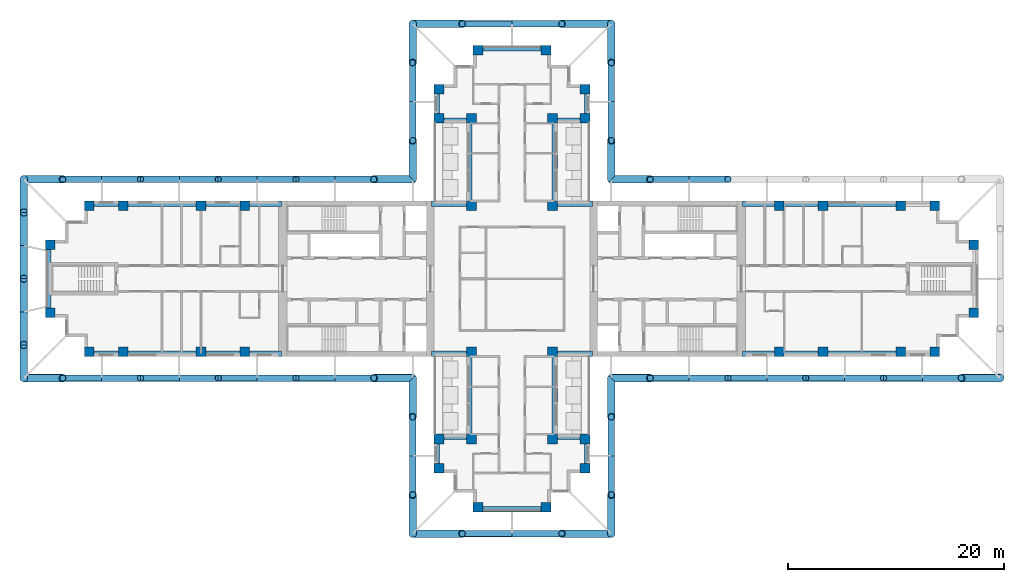
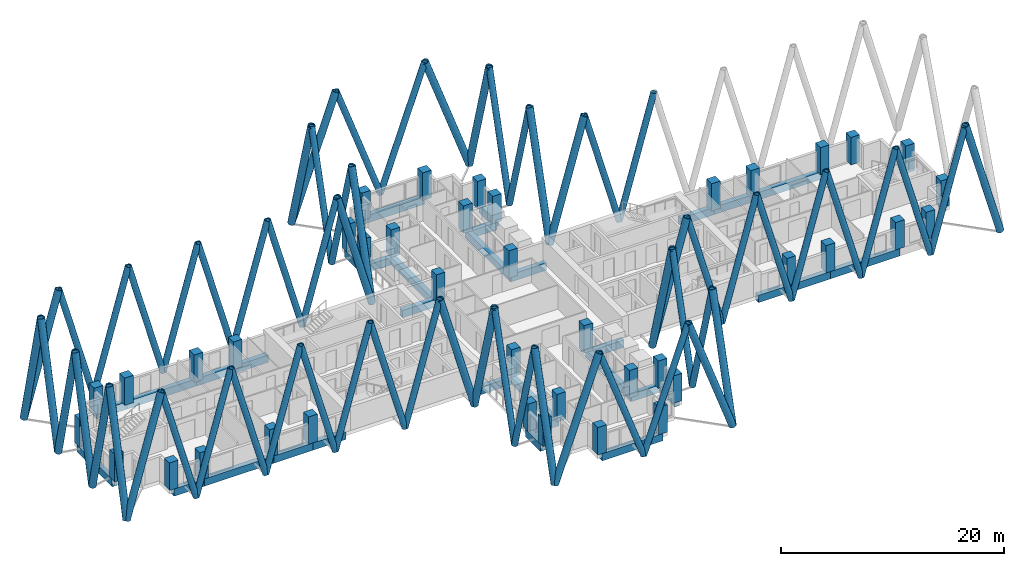
# One storey, part 1 of 13: 63 members, 40 columns, 33 beams.
"""IFC4 building model written with IfcOpenShell, lengths in metres."""

from ifc_helpers import new_model, si_unit, direction, frame, origin, origin_2d, place, context, subcontext, project, spatial, rectangle, hollow_circle, extrude, material, material_profile, profile_set, type_object, element, save


model = new_model("IFC4")

# Units and contexts
model_context = context("Model", 3, precision=1e-05, world=origin(), true_north=direction((0.0, 1.0)))
body_context = subcontext(model_context, "Body", "Model", "MODEL_VIEW")
ifc_project = project(units=[si_unit("LENGTHUNIT", "METRE"), si_unit("AREAUNIT", "SQUARE_METRE"), si_unit("VOLUMEUNIT", "CUBIC_METRE"), si_unit("PLANEANGLEUNIT", "RADIAN"), si_unit("MASSUNIT", "GRAM", prefix="KILO")], contexts=[model_context])

# Site, building, storey
site_placement = place(None, origin())
site = spatial("IfcSite", under=ifc_project, at=site_placement, CompositionType="ELEMENT")
building_placement = place(site_placement, origin())
building = spatial("IfcBuilding", under=site, at=building_placement, Name="Fustian Cross Tower", CompositionType="ELEMENT")
storey_placement = place(building_placement, frame((0.0, 0.0, 153.300048828125)))
storey = spatial("IfcBuildingStorey", under=building, at=storey_placement, Name="L48", CompositionType="ELEMENT", Elevation=153.300048828125)

# Columns
ifc_material_1 = material(Name="Concrete C50/60", Category="concrete")
ifc_material_profile_1 = material_profile(ifc_material_1, rectangle(XDim=0.89990234375, YDim=0.89990234375, at=origin_2d()), Name="RC 900x900")
ifc_profile_set_1 = profile_set([ifc_material_profile_1], Name="Concrete C50/60")
column_type = type_object("IfcColumnType", Name="COLUMN RC 900x900 C50/60", PredefinedType="COLUMN", material=ifc_profile_set_1)
for number, where, z_axis, x_axis, name in (
    (1, (-42.75, -3.14990234375, 0.0), (0.0, 0.0, 1.0), (1.0, 0.0, 0.0), "COLUMN 001"),
    (2, (-42.75, 3.14990234375, 0.0), (0.0, 0.0, 1.0), (1.0, 0.0, 0.0), "COLUMN 002"),
    (3, (-39.14990234375, -6.75, 0.0), (0.0, 0.0, 1.0), (1.0, 0.0, 0.0), "COLUMN 003"),
    (4, (-39.14990234375, 6.75, 0.0), (0.0, 0.0, 1.0), (1.0, 0.0, 0.0), "COLUMN 004"),
    (5, (-36.0, -6.75, 0.0), (0.0, 0.0, 1.0), (1.0, 0.0, 0.0), "COLUMN 005"),
    (6, (-36.0, 6.75, 0.0), (0.0, 0.0, 1.0), (1.0, 0.0, 0.0), "COLUMN 006"),
    (7, (-28.800048828125, -6.75, 0.0), (0.0, 0.0, 1.0), (1.0, 0.0, 0.0), "COLUMN 007"),
    (8, (-28.800048828125, 6.75, 0.0), (0.0, 0.0, 1.0), (1.0, 0.0, 0.0), "COLUMN 010"),
    (9, (-24.75, -6.75, 0.0), (0.0, 0.0, 1.0), (1.0, 0.0, 0.0), "COLUMN 011"),
    (10, (-24.75, 6.75, 0.0), (0.0, 0.0, 1.0), (1.0, 0.0, 0.0), "COLUMN 012"),
    (11, (-6.75, -17.550048828125, 0.0), (0.0, 0.0, 1.0), (1.0, 0.0, 0.0), "COLUMN 017"),
    (12, (-6.75, -14.85009765625, 0.0), (0.0, 0.0, 1.0), (1.0, 0.0, 0.0), "COLUMN 018"),
    (13, (-6.75, 14.85009765625, 0.0), (0.0, 0.0, 1.0), (1.0, 0.0, 0.0), "COLUMN 019"),
    (14, (-6.75, 17.550048828125, 0.0), (0.0, 0.0, 1.0), (1.0, 0.0, 0.0), "COLUMN 020"),
    (15, (-3.75, -14.85009765625, 0.0), (0.0, 0.0, 1.0), (1.0, 0.0, 0.0), "COLUMN 025"),
    (16, (-3.75, -6.75, 0.0), (0.0, 0.0, 1.0), (1.0, 0.0, 0.0), "COLUMN 026"),
    (17, (-3.75, 6.75, 0.0), (0.0, 0.0, 1.0), (1.0, 0.0, 0.0), "COLUMN 027"),
    (18, (-3.75, 14.85009765625, 0.0), (0.0, 0.0, 1.0), (1.0, 0.0, 0.0), "COLUMN 028"),
    (19, (-3.14990234375, -21.14990234375, 0.0), (0.0, 0.0, 1.0), (1.0, 0.0, 0.0), "COLUMN 030"),
    (20, (-3.14990234375, 21.14990234375, 0.0), (0.0, 0.0, 1.0), (1.0, 0.0, 0.0), "COLUMN 031"),
    (21, (3.14990234375, -21.14990234375, 0.0), (0.0, 0.0, 1.0), (1.0, 0.0, 0.0), "COLUMN 034"),
    (22, (3.14990234375, 21.14990234375, 0.0), (0.0, 0.0, 1.0), (1.0, 0.0, 0.0), "COLUMN 035"),
    (23, (3.75, -14.85009765625, 0.0), (0.0, 0.0, 1.0), (1.0, 0.0, 0.0), "COLUMN 037"),
    (24, (3.75, -6.75, 0.0), (0.0, 0.0, 1.0), (1.0, 0.0, 0.0), "COLUMN 038"),
    (25, (3.75, 6.75, 0.0), (0.0, 0.0, 1.0), (1.0, 0.0, 0.0), "COLUMN 039"),
    (26, (3.75, 14.85009765625, 0.0), (0.0, 0.0, 1.0), (1.0, 0.0, 0.0), "COLUMN 040"),
    (27, (6.75, -17.550048828125, 0.0), (0.0, 0.0, 1.0), (1.0, 0.0, 0.0), "COLUMN 045"),
    (28, (6.75, -14.85009765625, 0.0), (0.0, 0.0, 1.0), (1.0, 0.0, 0.0), "COLUMN 046"),
    (29, (6.75, 14.85009765625, 0.0), (0.0, 0.0, 1.0), (1.0, 0.0, 0.0), "COLUMN 047"),
    (30, (6.75, 17.550048828125, 0.0), (0.0, 0.0, 1.0), (1.0, 0.0, 0.0), "COLUMN 048"),
    (31, (24.75, -6.75, 0.0), (0.0, 0.0, 1.0), (1.0, 0.0, 0.0), "COLUMN 053"),
    (32, (24.75, 6.75, 0.0), (0.0, 0.0, 1.0), (1.0, 0.0, 0.0), "COLUMN 054"),
    (33, (28.800048828125, -6.75, 0.0), (0.0, 0.0, 1.0), (1.0, 0.0, 0.0), "COLUMN 055"),
    (34, (28.800048828125, 6.75, 0.0), (0.0, 0.0, 1.0), (1.0, 0.0, 0.0), "COLUMN 058"),
    (35, (36.0, -6.75, 0.0), (0.0, 0.0, 1.0), (1.0, 0.0, 0.0), "COLUMN 059"),
    (36, (36.0, 6.75, 0.0), (0.0, 0.0, 1.0), (1.0, 0.0, 0.0), "COLUMN 060"),
    (37, (39.14990234375, -6.75, 0.0), (0.0, 0.0, 1.0), (1.0, 0.0, 0.0), "COLUMN 061"),
    (38, (39.14990234375, 6.75, 0.0), (0.0, 0.0, 1.0), (1.0, 0.0, 0.0), "COLUMN 062"),
    (39, (42.75, -3.14990234375, 0.0), (0.0, 0.0, 1.0), (1.0, 0.0, 0.0), "COLUMN 063"),
    (40, (42.75, 3.14990234375, 0.0), (0.0, 0.0, 1.0), (1.0, 0.0, 0.0), "COLUMN 064"),
):
    element("IfcColumn", number, at=place(storey_placement, frame(where, z_axis=z_axis, x_axis=x_axis)), inside=storey, type_object=column_type, Name=name, PredefinedType="COLUMN", context=body_context, shape_type="SweptSolid", body=[
        extrude(rectangle(XDim=0.89990234375, YDim=0.89990234375, at=origin_2d()), origin(), (0.0, 0.0, 1.0), 3.0),
    ])

# Members
ifc_material_2 = material(Name="Steel S355", Category="steel")
ifc_material_profile_2 = material_profile(ifc_material_2, hollow_circle(Radius=0.3046875, WallThickness=0.02490234375, at=origin_2d()), Name="CHS 610x25")
ifc_profile_set_2 = profile_set([ifc_material_profile_2], Name="Steel S355")
member_type_1 = type_object("IfcMemberType", Name="DIAGRID DIAGONAL CHS 610x25", PredefinedType="BRACE", material=ifc_profile_set_2)
for number, where, z_axis, x_axis, name in (
    (41, (16.39990234375, -9.199951171875, 0.0), (-0.270734410693, 0.0, 0.962654080585), (0.0, -1.0, 0.0), "Diagrid diagonal E-S 02"),
    (42, (16.39990234375, -9.199951171875, 0.0), (0.27075142585, 0.0, 0.962649295123), (0.0, 1.0, 0.0), "Diagrid diagonal E-S 03"),
    (43, (23.60009765625, -9.199951171875, 0.0), (-0.27075142585, 0.0, 0.962649295123), (0.0, -1.0, 0.0), "Diagrid diagonal E-S 04"),
    (44, (23.60009765625, -9.199951171875, 0.0), (0.270734410693, 0.0, 0.962654080585), (0.0, 1.0, 0.0), "Diagrid diagonal E-S 05"),
    (45, (30.800048828125, -9.199951171875, 0.0), (-0.27075142585, 0.0, 0.962649295123), (0.0, -1.0, 0.0), "Diagrid diagonal E-S 06"),
    (46, (30.800048828125, -9.199951171875, 0.0), (0.270734410693, 0.0, 0.962654080585), (0.0, 1.0, 0.0), "Diagrid diagonal E-S 07"),
    (47, (38.0, -9.199951171875, 0.0), (-0.27075142585, 0.0, 0.962649295123), (0.0, -1.0, 0.0), "Diagrid diagonal E-S 08"),
    (48, (38.0, -9.199951171875, 0.0), (0.27075142585, 0.0, 0.962649295123), (0.0, 1.0, 0.0), "Diagrid diagonal E-S 09"),
    (49, (16.39990234375, 9.199951171875, 0.0), (0.27075142585, 0.0, 0.962649295123), (0.0, 1.0, 0.0), "Diagrid diagonal E-N 08"),
    (50, (16.39990234375, 9.199951171875, 0.0), (-0.270734410693, 0.0, 0.962654080585), (0.0, -1.0, 0.0), "Diagrid diagonal E-N 09"),
    (51, (9.199951171875, 16.39990234375, 0.0), (0.0, -0.270734410693, 0.962654080585), (1.0, 0.0, 0.0), "Diagrid diagonal N-E 02"),
    (52, (9.199951171875, 16.39990234375, 0.0), (0.0, 0.27075142585, 0.962649295123), (-1.0, 0.0, 0.0), "Diagrid diagonal N-E 03"),
):
    element("IfcMember", number, at=place(storey_placement, frame(where, z_axis=z_axis, x_axis=x_axis)), inside=storey, type_object=member_type_1, Name=name, PredefinedType="BRACE", context=body_context, shape_type="SweptSolid", body=[
        extrude(hollow_circle(Radius=0.3046875, WallThickness=0.02490234375, at=origin_2d()), origin(), (0.0, 0.0, 1.0), 13.296630859375),
    ])
for number, where, z_axis, x_axis, name in (
    (53, (0.0, 23.60009765625, 0.0), (0.338203942177, 0.0, 0.941072841759), (0.0, 1.0, 0.0), "Diagrid diagonal N-end 02"),
    (54, (0.0, 23.60009765625, 0.0), (-0.338203942177, 0.0, 0.941072841759), (0.0, -1.0, 0.0), "Diagrid diagonal N-end 03"),
):
    element("IfcMember", number, at=place(storey_placement, frame(where, z_axis=z_axis, x_axis=x_axis)), inside=storey, type_object=member_type_1, Name=name, PredefinedType="BRACE", context=body_context, shape_type="SweptSolid", body=[
        extrude(hollow_circle(Radius=0.3046875, WallThickness=0.02490234375, at=origin_2d()), origin(), (0.0, 0.0, 1.0), 13.6015625),
    ])
for number, where, z_axis, x_axis, name in (
    (55, (-9.199951171875, 16.39990234375, 0.0), (0.0, 0.27075142585, 0.962649295123), (-1.0, 0.0, 0.0), "Diagrid diagonal N-W 02"),
    (56, (-9.199951171875, 16.39990234375, 0.0), (0.0, -0.270734410693, 0.962654080585), (1.0, 0.0, 0.0), "Diagrid diagonal N-W 03"),
    (57, (-16.39990234375, 9.199951171875, 0.0), (0.270734410693, 0.0, 0.962654080585), (0.0, 1.0, 0.0), "Diagrid diagonal W-N 02"),
    (58, (-16.39990234375, 9.199951171875, 0.0), (-0.27075142585, 0.0, 0.962649295123), (0.0, -1.0, 0.0), "Diagrid diagonal W-N 03"),
    (59, (-23.60009765625, 9.199951171875, 0.0), (0.27075142585, 0.0, 0.962649295123), (0.0, 1.0, 0.0), "Diagrid diagonal W-N 04"),
    (60, (-23.60009765625, 9.199951171875, 0.0), (-0.270734410693, 0.0, 0.962654080585), (0.0, -1.0, 0.0), "Diagrid diagonal W-N 05"),
    (61, (-30.800048828125, 9.199951171875, 0.0), (0.27075142585, 0.0, 0.962649295123), (0.0, 1.0, 0.0), "Diagrid diagonal W-N 06"),
    (62, (-30.800048828125, 9.199951171875, 0.0), (-0.270734410693, 0.0, 0.962654080585), (0.0, -1.0, 0.0), "Diagrid diagonal W-N 07"),
    (63, (-38.0, 9.199951171875, 0.0), (0.27075142585, 0.0, 0.962649295123), (0.0, 1.0, 0.0), "Diagrid diagonal W-N 08"),
    (64, (-38.0, 9.199951171875, 0.0), (-0.27075142585, 0.0, 0.962649295123), (0.0, -1.0, 0.0), "Diagrid diagonal W-N 09"),
    (65, (-38.0, -9.199951171875, 0.0), (-0.27075142585, 0.0, 0.962649295123), (0.0, -1.0, 0.0), "Diagrid diagonal W-S 02"),
    (66, (-38.0, -9.199951171875, 0.0), (0.27075142585, 0.0, 0.962649295123), (0.0, 1.0, 0.0), "Diagrid diagonal W-S 03"),
    (67, (-30.800048828125, -9.199951171875, 0.0), (-0.270734410693, 0.0, 0.962654080585), (0.0, -1.0, 0.0), "Diagrid diagonal W-S 04"),
    (68, (-30.800048828125, -9.199951171875, 0.0), (0.27075142585, 0.0, 0.962649295123), (0.0, 1.0, 0.0), "Diagrid diagonal W-S 05"),
    (69, (-23.60009765625, -9.199951171875, 0.0), (-0.270734410693, 0.0, 0.962654080585), (0.0, -1.0, 0.0), "Diagrid diagonal W-S 06"),
    (70, (-23.60009765625, -9.199951171875, 0.0), (0.27075142585, 0.0, 0.962649295123), (0.0, 1.0, 0.0), "Diagrid diagonal W-S 07"),
    (71, (-16.39990234375, -9.199951171875, 0.0), (-0.27075142585, 0.0, 0.962649295123), (0.0, -1.0, 0.0), "Diagrid diagonal W-S 08"),
    (72, (-16.39990234375, -9.199951171875, 0.0), (0.270734410693, 0.0, 0.962654080585), (0.0, 1.0, 0.0), "Diagrid diagonal W-S 09"),
    (73, (-9.199951171875, -16.39990234375, 0.0), (0.0, 0.270734410693, 0.962654080585), (-1.0, 0.0, 0.0), "Diagrid diagonal S-W 02"),
    (74, (-9.199951171875, -16.39990234375, 0.0), (0.0, -0.27075142585, 0.962649295123), (1.0, 0.0, 0.0), "Diagrid diagonal S-W 03"),
):
    element("IfcMember", number, at=place(storey_placement, frame(where, z_axis=z_axis, x_axis=x_axis)), inside=storey, type_object=member_type_1, Name=name, PredefinedType="BRACE", context=body_context, shape_type="SweptSolid", body=[
        extrude(hollow_circle(Radius=0.3046875, WallThickness=0.02490234375, at=origin_2d()), origin(), (0.0, 0.0, 1.0), 13.296630859375),
    ])
for number, where, z_axis, x_axis, name in (
    (75, (0.0, -23.60009765625, 0.0), (-0.338203942177, 0.0, 0.941072841759), (0.0, -1.0, 0.0), "Diagrid diagonal S-end 02"),
    (76, (0.0, -23.60009765625, 0.0), (0.338203942177, 0.0, 0.941072841759), (0.0, 1.0, 0.0), "Diagrid diagonal S-end 03"),
):
    element("IfcMember", number, at=place(storey_placement, frame(where, z_axis=z_axis, x_axis=x_axis)), inside=storey, type_object=member_type_1, Name=name, PredefinedType="BRACE", context=body_context, shape_type="SweptSolid", body=[
        extrude(hollow_circle(Radius=0.3046875, WallThickness=0.02490234375, at=origin_2d()), origin(), (0.0, 0.0, 1.0), 13.6015625),
    ])
for number, where, z_axis, x_axis, name in (
    (77, (9.199951171875, -16.39990234375, 0.0), (0.0, -0.27075142585, 0.962649295123), (1.0, 0.0, 0.0), "Diagrid diagonal S-E 02"),
    (78, (9.199951171875, -16.39990234375, 0.0), (0.0, 0.270734410693, 0.962654080585), (-1.0, 0.0, 0.0), "Diagrid diagonal S-E 03"),
):
    element("IfcMember", number, at=place(storey_placement, frame(where, z_axis=z_axis, x_axis=x_axis)), inside=storey, type_object=member_type_1, Name=name, PredefinedType="BRACE", context=body_context, shape_type="SweptSolid", body=[
        extrude(hollow_circle(Radius=0.3046875, WallThickness=0.02490234375, at=origin_2d()), origin(), (0.0, 0.0, 1.0), 13.296630859375),
    ])
ifc_material_3 = material(Name="Steel S355", Category="steel")
ifc_material_profile_3 = material_profile(ifc_material_3, hollow_circle(Radius=0.355712890625, WallThickness=0.031982421875, at=origin_2d()), Name="CHS 711x32")
ifc_profile_set_3 = profile_set([ifc_material_profile_3], Name="Steel S355")
member_type_2 = type_object("IfcMemberType", Name="DIAGRID DIAGONAL CHS 711x32", PredefinedType="BRACE", material=ifc_profile_set_3)
for number, where, z_axis, x_axis, name in (
    (79, (9.199951171875, -9.199951171875, 0.0), (0.27075142585, 0.0, 0.962649295123), (0.0, 1.0, 0.0), "Diagrid diagonal E-S 01"),
    (80, (45.199951171875, -9.199951171875, 0.0), (-0.270734410693, 0.0, 0.962654080585), (0.0, -1.0, 0.0), "Diagrid diagonal E-S 10"),
    (81, (9.199951171875, 9.199951171875, 0.0), (0.27075142585, 0.0, 0.962649295123), (0.0, 1.0, 0.0), "Diagrid diagonal E-N 10"),
    (82, (9.199951171875, 9.199951171875, 0.0), (0.0, 0.27075142585, 0.962649295123), (-1.0, 0.0, 0.0), "Diagrid diagonal N-E 01"),
    (83, (9.199951171875, 23.60009765625, 0.0), (0.0, -0.27075142585, 0.962649295123), (1.0, 0.0, 0.0), "Diagrid diagonal N-E 04"),
):
    element("IfcMember", number, at=place(storey_placement, frame(where, z_axis=z_axis, x_axis=x_axis)), inside=storey, type_object=member_type_2, Name=name, PredefinedType="BRACE", context=body_context, shape_type="SweptSolid", body=[
        extrude(hollow_circle(Radius=0.355712890625, WallThickness=0.031982421875, at=origin_2d()), origin(), (0.0, 0.0, 1.0), 13.296630859375),
    ])
for number, where, z_axis, x_axis, name in (
    (84, (9.199951171875, 23.60009765625, 0.0), (-0.338188045656, 0.0, 0.941078554519), (0.0, -1.0, 0.0), "Diagrid diagonal N-end 01"),
    (85, (-9.199951171875, 23.60009765625, 0.0), (0.338188045656, 0.0, 0.941078554519), (0.0, 1.0, 0.0), "Diagrid diagonal N-end 04"),
):
    element("IfcMember", number, at=place(storey_placement, frame(where, z_axis=z_axis, x_axis=x_axis)), inside=storey, type_object=member_type_2, Name=name, PredefinedType="BRACE", context=body_context, shape_type="SweptSolid", body=[
        extrude(hollow_circle(Radius=0.355712890625, WallThickness=0.031982421875, at=origin_2d()), origin(), (0.0, 0.0, 1.0), 13.6015625),
    ])
for number, where, z_axis, x_axis, name in (
    (86, (-9.199951171875, 23.60009765625, 0.0), (0.0, -0.27075142585, 0.962649295123), (1.0, 0.0, 0.0), "Diagrid diagonal N-W 01"),
    (87, (-9.199951171875, 9.199951171875, 0.0), (0.0, 0.27075142585, 0.962649295123), (-1.0, 0.0, 0.0), "Diagrid diagonal N-W 04"),
    (88, (-9.199951171875, 9.199951171875, 0.0), (-0.27075142585, 0.0, 0.962649295123), (0.0, -1.0, 0.0), "Diagrid diagonal W-N 01"),
    (89, (-45.199951171875, 9.199951171875, 0.0), (0.270734410693, 0.0, 0.962654080585), (0.0, 1.0, 0.0), "Diagrid diagonal W-N 10"),
):
    element("IfcMember", number, at=place(storey_placement, frame(where, z_axis=z_axis, x_axis=x_axis)), inside=storey, type_object=member_type_2, Name=name, PredefinedType="BRACE", context=body_context, shape_type="SweptSolid", body=[
        extrude(hollow_circle(Radius=0.355712890625, WallThickness=0.031982421875, at=origin_2d()), origin(), (0.0, 0.0, 1.0), 13.296630859375),
    ])
for number, where, z_axis, x_axis, name in (
    (90, (-45.199951171875, 9.199951171875, 0.0), (0.0, -0.232987793088, 0.972479659567), (1.0, 0.0, 0.0), "Diagrid diagonal W-end 01"),
    (91, (-45.199951171875, 3.066650390625, 0.0), (0.0, 0.232987793088, 0.972479659567), (-1.0, 0.0, 0.0), "Diagrid diagonal W-end 02"),
    (92, (-45.199951171875, 3.066650390625, 0.0), (0.0, -0.232987793088, 0.972479659567), (1.0, 0.0, 0.0), "Diagrid diagonal W-end 03"),
    (93, (-45.199951171875, -3.066650390625, 0.0), (0.0, 0.232987793088, 0.972479659567), (-1.0, 0.0, 0.0), "Diagrid diagonal W-end 04"),
    (94, (-45.199951171875, -3.066650390625, 0.0), (0.0, -0.232987793088, 0.972479659567), (1.0, 0.0, 0.0), "Diagrid diagonal W-end 05"),
    (95, (-45.199951171875, -9.199951171875, 0.0), (0.0, 0.232987793088, 0.972479659567), (-1.0, 0.0, 0.0), "Diagrid diagonal W-end 06"),
):
    element("IfcMember", number, at=place(storey_placement, frame(where, z_axis=z_axis, x_axis=x_axis)), inside=storey, type_object=member_type_2, Name=name, PredefinedType="BRACE", context=body_context, shape_type="SweptSolid", body=[
        extrude(hollow_circle(Radius=0.355712890625, WallThickness=0.031982421875, at=origin_2d()), origin(), (0.0, 0.0, 1.0), 13.162353515625),
    ])
for number, where, z_axis, x_axis, name in (
    (96, (-45.199951171875, -9.199951171875, 0.0), (0.270734410693, 0.0, 0.962654080585), (0.0, 1.0, 0.0), "Diagrid diagonal W-S 01"),
    (97, (-9.199951171875, -9.199951171875, 0.0), (-0.27075142585, 0.0, 0.962649295123), (0.0, -1.0, 0.0), "Diagrid diagonal W-S 10"),
    (98, (-9.199951171875, -9.199951171875, 0.0), (0.0, -0.27075142585, 0.962649295123), (1.0, 0.0, 0.0), "Diagrid diagonal S-W 01"),
    (99, (-9.199951171875, -23.60009765625, 0.0), (0.0, 0.27075142585, 0.962649295123), (-1.0, 0.0, 0.0), "Diagrid diagonal S-W 04"),
):
    element("IfcMember", number, at=place(storey_placement, frame(where, z_axis=z_axis, x_axis=x_axis)), inside=storey, type_object=member_type_2, Name=name, PredefinedType="BRACE", context=body_context, shape_type="SweptSolid", body=[
        extrude(hollow_circle(Radius=0.355712890625, WallThickness=0.031982421875, at=origin_2d()), origin(), (0.0, 0.0, 1.0), 13.296630859375),
    ])
for number, where, z_axis, x_axis, name in (
    (100, (-9.199951171875, -23.60009765625, 0.0), (0.338188045656, 0.0, 0.941078554519), (0.0, 1.0, 0.0), "Diagrid diagonal S-end 01"),
    (101, (9.199951171875, -23.60009765625, 0.0), (-0.338188045656, 0.0, 0.941078554519), (0.0, -1.0, 0.0), "Diagrid diagonal S-end 04"),
):
    element("IfcMember", number, at=place(storey_placement, frame(where, z_axis=z_axis, x_axis=x_axis)), inside=storey, type_object=member_type_2, Name=name, PredefinedType="BRACE", context=body_context, shape_type="SweptSolid", body=[
        extrude(hollow_circle(Radius=0.355712890625, WallThickness=0.031982421875, at=origin_2d()), origin(), (0.0, 0.0, 1.0), 13.6015625),
    ])
for number, where, z_axis, x_axis, name in (
    (102, (9.199951171875, -23.60009765625, 0.0), (0.0, 0.27075142585, 0.962649295123), (-1.0, 0.0, 0.0), "Diagrid diagonal S-E 01"),
    (103, (9.199951171875, -9.199951171875, 0.0), (0.0, -0.27075142585, 0.962649295123), (1.0, 0.0, 0.0), "Diagrid diagonal S-E 04"),
):
    element("IfcMember", number, at=place(storey_placement, frame(where, z_axis=z_axis, x_axis=x_axis)), inside=storey, type_object=member_type_2, Name=name, PredefinedType="BRACE", context=body_context, shape_type="SweptSolid", body=[
        extrude(hollow_circle(Radius=0.355712890625, WallThickness=0.031982421875, at=origin_2d()), origin(), (0.0, 0.0, 1.0), 13.296630859375),
    ])

# Beams
ifc_material_4 = material(Name="Concrete C50/60", Category="concrete")
ifc_material_profile_4 = material_profile(ifc_material_4, rectangle(XDim=0.5, YDim=0.800048828125, at=origin_2d()), Name="RC 500x800")
ifc_profile_set_4 = profile_set([ifc_material_profile_4], Name="Concrete C50/60")
beam_type = type_object("IfcBeamType", Name="EDGE BEAM RC 500x800 C50/60", PredefinedType="SPANDREL", material=ifc_profile_set_4)
beam_1_placement = place(storey_placement, frame((21.35009765625, -6.949951171875, -0.400146484375), z_axis=(1.0, 0.0, 0.0), x_axis=(0.0, 1.0, 0.0)))
element("IfcBeam", 104, at=beam_1_placement, inside=storey, type_object=beam_type, Name="EDGE BEAM L48-01", PredefinedType="SPANDREL", context=body_context, shape_type="SweptSolid", body=[
    extrude(rectangle(XDim=0.5, YDim=0.800048828125, at=origin_2d()), origin(), (0.0, 0.0, 1.0), 3.39990234375),
])
beam_2_placement = place(storey_placement, frame((24.75, -6.949951171875, -0.400146484375), z_axis=(1.0, 0.0, 0.0), x_axis=(0.0, 1.0, 0.0)))
element("IfcBeam", 105, at=beam_2_placement, inside=storey, type_object=beam_type, Name="EDGE BEAM L48-02", PredefinedType="SPANDREL", context=body_context, shape_type="SweptSolid", body=[
    extrude(rectangle(XDim=0.5, YDim=0.800048828125, at=origin_2d()), origin(), (0.0, 0.0, 1.0), 4.050048828125),
])
for number, where, z_axis, x_axis, name in (
    (106, (28.800048828125, -6.949951171875, -0.400146484375), (1.0, 0.0, 0.0), (0.0, 1.0, 0.0), "EDGE BEAM L48-03"),
    (107, (36.0, 6.949951171875, -0.400146484375), (-1.0, 0.0, 0.0), (0.0, -1.0, 0.0), "EDGE BEAM L48-07"),
):
    element("IfcBeam", number, at=place(storey_placement, frame(where, z_axis=z_axis, x_axis=x_axis)), inside=storey, type_object=beam_type, Name=name, PredefinedType="SPANDREL", context=body_context, shape_type="SweptSolid", body=[
        extrude(rectangle(XDim=0.5, YDim=0.800048828125, at=origin_2d()), origin(), (0.0, 0.0, 1.0), 7.199951171875),
    ])
beam_3_placement = place(storey_placement, frame((28.800048828125, 6.949951171875, -0.400146484375), z_axis=(-1.0, 0.0, 0.0), x_axis=(0.0, -1.0, 0.0)))
element("IfcBeam", 108, at=beam_3_placement, inside=storey, type_object=beam_type, Name="EDGE BEAM L48-08", PredefinedType="SPANDREL", context=body_context, shape_type="SweptSolid", body=[
    extrude(rectangle(XDim=0.5, YDim=0.800048828125, at=origin_2d()), origin(), (0.0, 0.0, 1.0), 4.050048828125),
])
beam_4_placement = place(storey_placement, frame((24.75, 6.949951171875, -0.400146484375), z_axis=(-1.0, 0.0, 0.0), x_axis=(0.0, -1.0, 0.0)))
element("IfcBeam", 109, at=beam_4_placement, inside=storey, type_object=beam_type, Name="EDGE BEAM L48-09", PredefinedType="SPANDREL", context=body_context, shape_type="SweptSolid", body=[
    extrude(rectangle(XDim=0.5, YDim=0.800048828125, at=origin_2d()), origin(), (0.0, 0.0, 1.0), 3.39990234375),
])
beam_5_placement = place(storey_placement, frame((7.449951171875, 6.949951171875, -0.400146484375), z_axis=(-1.0, 0.0, 0.0), x_axis=(0.0, -1.0, 0.0)))
element("IfcBeam", 110, at=beam_5_placement, inside=storey, type_object=beam_type, Name="EDGE BEAM L48-10", PredefinedType="SPANDREL", context=body_context, shape_type="SweptSolid", body=[
    extrude(rectangle(XDim=0.5, YDim=0.800048828125, at=origin_2d()), origin(), (0.0, 0.0, 1.0), 3.699951171875),
])
beam_6_placement = place(storey_placement, frame((3.949951171875, 6.75, -0.400146484375), z_axis=(0.0, 1.0, 0.0), x_axis=(-1.0, 0.0, 0.0)))
element("IfcBeam", 111, at=beam_6_placement, inside=storey, type_object=beam_type, Name="EDGE BEAM L48-11", PredefinedType="SPANDREL", context=body_context, shape_type="SweptSolid", body=[
    extrude(rectangle(XDim=0.5, YDim=0.800048828125, at=origin_2d()), origin(), (0.0, 0.0, 1.0), 8.10009765625),
])
beam_7_placement = place(storey_placement, frame((3.75, 14.64990234375, -0.400146484375), z_axis=(1.0, 0.0, 0.0), x_axis=(0.0, 1.0, 0.0)))
element("IfcBeam", 112, at=beam_7_placement, inside=storey, type_object=beam_type, Name="EDGE BEAM L48-12", PredefinedType="SPANDREL", context=body_context, shape_type="SweptSolid", body=[
    extrude(rectangle(XDim=0.5, YDim=0.800048828125, at=origin_2d()), origin(), (0.0, 0.0, 1.0), 3.0),
])
beam_8_placement = place(storey_placement, frame((6.949951171875, 14.85009765625, -0.400146484375), z_axis=(0.0, 1.0, 0.0), x_axis=(-1.0, 0.0, 0.0)))
element("IfcBeam", 113, at=beam_8_placement, inside=storey, type_object=beam_type, Name="EDGE BEAM L48-13", PredefinedType="SPANDREL", context=body_context, shape_type="SweptSolid", body=[
    extrude(rectangle(XDim=0.5, YDim=0.800048828125, at=origin_2d()), origin(), (0.0, 0.0, 1.0), 2.699951171875),
])
beam_9_placement = place(storey_placement, frame((3.14990234375, 21.35009765625, -0.400146484375), z_axis=(-1.0, 0.0, 0.0), x_axis=(0.0, -1.0, 0.0)))
element("IfcBeam", 114, at=beam_9_placement, inside=storey, type_object=beam_type, Name="EDGE BEAM L48-14", PredefinedType="SPANDREL", context=body_context, shape_type="SweptSolid", body=[
    extrude(rectangle(XDim=0.5, YDim=0.800048828125, at=origin_2d()), origin(), (0.0, 0.0, 1.0), 6.2998046875),
])
beam_10_placement = place(storey_placement, frame((-6.949951171875, 17.550048828125, -0.400146484375), z_axis=(0.0, -1.0, 0.0), x_axis=(1.0, 0.0, 0.0)))
element("IfcBeam", 115, at=beam_10_placement, inside=storey, type_object=beam_type, Name="EDGE BEAM L48-15", PredefinedType="SPANDREL", context=body_context, shape_type="SweptSolid", body=[
    extrude(rectangle(XDim=0.5, YDim=0.800048828125, at=origin_2d()), origin(), (0.0, 0.0, 1.0), 2.699951171875),
])
beam_11_placement = place(storey_placement, frame((-6.75, 14.64990234375, -0.400146484375), z_axis=(1.0, 0.0, 0.0), x_axis=(0.0, 1.0, 0.0)))
element("IfcBeam", 116, at=beam_11_placement, inside=storey, type_object=beam_type, Name="EDGE BEAM L48-16", PredefinedType="SPANDREL", context=body_context, shape_type="SweptSolid", body=[
    extrude(rectangle(XDim=0.5, YDim=0.800048828125, at=origin_2d()), origin(), (0.0, 0.0, 1.0), 3.0),
])
beam_12_placement = place(storey_placement, frame((-3.949951171875, 14.85009765625, -0.400146484375), z_axis=(0.0, -1.0, 0.0), x_axis=(1.0, 0.0, 0.0)))
element("IfcBeam", 117, at=beam_12_placement, inside=storey, type_object=beam_type, Name="EDGE BEAM L48-17", PredefinedType="SPANDREL", context=body_context, shape_type="SweptSolid", body=[
    extrude(rectangle(XDim=0.5, YDim=0.800048828125, at=origin_2d()), origin(), (0.0, 0.0, 1.0), 8.10009765625),
])
beam_13_placement = place(storey_placement, frame((-3.75, 6.949951171875, -0.400146484375), z_axis=(-1.0, 0.0, 0.0), x_axis=(0.0, -1.0, 0.0)))
element("IfcBeam", 118, at=beam_13_placement, inside=storey, type_object=beam_type, Name="EDGE BEAM L48-18", PredefinedType="SPANDREL", context=body_context, shape_type="SweptSolid", body=[
    extrude(rectangle(XDim=0.5, YDim=0.800048828125, at=origin_2d()), origin(), (0.0, 0.0, 1.0), 3.699951171875),
])
beam_14_placement = place(storey_placement, frame((-21.35009765625, 6.949951171875, -0.400146484375), z_axis=(-1.0, 0.0, 0.0), x_axis=(0.0, -1.0, 0.0)))
element("IfcBeam", 119, at=beam_14_placement, inside=storey, type_object=beam_type, Name="EDGE BEAM L48-19", PredefinedType="SPANDREL", context=body_context, shape_type="SweptSolid", body=[
    extrude(rectangle(XDim=0.5, YDim=0.800048828125, at=origin_2d()), origin(), (0.0, 0.0, 1.0), 3.39990234375),
])
beam_15_placement = place(storey_placement, frame((-24.75, 6.949951171875, -0.400146484375), z_axis=(-1.0, 0.0, 0.0), x_axis=(0.0, -1.0, 0.0)))
element("IfcBeam", 120, at=beam_15_placement, inside=storey, type_object=beam_type, Name="EDGE BEAM L48-20", PredefinedType="SPANDREL", context=body_context, shape_type="SweptSolid", body=[
    extrude(rectangle(XDim=0.5, YDim=0.800048828125, at=origin_2d()), origin(), (0.0, 0.0, 1.0), 4.050048828125),
])
beam_16_placement = place(storey_placement, frame((-28.800048828125, 6.949951171875, -0.400146484375), z_axis=(-1.0, 0.0, 0.0), x_axis=(0.0, -1.0, 0.0)))
element("IfcBeam", 121, at=beam_16_placement, inside=storey, type_object=beam_type, Name="EDGE BEAM L48-21", PredefinedType="SPANDREL", context=body_context, shape_type="SweptSolid", body=[
    extrude(rectangle(XDim=0.5, YDim=0.800048828125, at=origin_2d()), origin(), (0.0, 0.0, 1.0), 7.199951171875),
])
beam_17_placement = place(storey_placement, frame((-36.0, 6.949951171875, -0.400146484375), z_axis=(-1.0, 0.0, 0.0), x_axis=(0.0, -1.0, 0.0)))
element("IfcBeam", 122, at=beam_17_placement, inside=storey, type_object=beam_type, Name="EDGE BEAM L48-22", PredefinedType="SPANDREL", context=body_context, shape_type="SweptSolid", body=[
    extrude(rectangle(XDim=0.5, YDim=0.800048828125, at=origin_2d()), origin(), (0.0, 0.0, 1.0), 3.14990234375),
])
beam_18_placement = place(storey_placement, frame((-42.949951171875, 3.14990234375, -0.400146484375), z_axis=(0.0, -1.0, 0.0), x_axis=(1.0, 0.0, 0.0)))
element("IfcBeam", 123, at=beam_18_placement, inside=storey, type_object=beam_type, Name="EDGE BEAM L48-23", PredefinedType="SPANDREL", context=body_context, shape_type="SweptSolid", body=[
    extrude(rectangle(XDim=0.5, YDim=0.800048828125, at=origin_2d()), origin(), (0.0, 0.0, 1.0), 6.2998046875),
])
beam_19_placement = place(storey_placement, frame((-39.14990234375, -6.949951171875, -0.400146484375), z_axis=(1.0, 0.0, 0.0), x_axis=(0.0, 1.0, 0.0)))
element("IfcBeam", 124, at=beam_19_placement, inside=storey, type_object=beam_type, Name="EDGE BEAM L48-24", PredefinedType="SPANDREL", context=body_context, shape_type="SweptSolid", body=[
    extrude(rectangle(XDim=0.5, YDim=0.800048828125, at=origin_2d()), origin(), (0.0, 0.0, 1.0), 3.14990234375),
])
beam_20_placement = place(storey_placement, frame((-36.0, -6.949951171875, -0.400146484375), z_axis=(1.0, 0.0, 0.0), x_axis=(0.0, 1.0, 0.0)))
element("IfcBeam", 125, at=beam_20_placement, inside=storey, type_object=beam_type, Name="EDGE BEAM L48-25", PredefinedType="SPANDREL", context=body_context, shape_type="SweptSolid", body=[
    extrude(rectangle(XDim=0.5, YDim=0.800048828125, at=origin_2d()), origin(), (0.0, 0.0, 1.0), 7.199951171875),
])
beam_21_placement = place(storey_placement, frame((-28.800048828125, -6.949951171875, -0.400146484375), z_axis=(1.0, 0.0, 0.0), x_axis=(0.0, 1.0, 0.0)))
element("IfcBeam", 126, at=beam_21_placement, inside=storey, type_object=beam_type, Name="EDGE BEAM L48-26", PredefinedType="SPANDREL", context=body_context, shape_type="SweptSolid", body=[
    extrude(rectangle(XDim=0.5, YDim=0.800048828125, at=origin_2d()), origin(), (0.0, 0.0, 1.0), 4.050048828125),
])
beam_22_placement = place(storey_placement, frame((-24.75, -6.949951171875, -0.400146484375), z_axis=(1.0, 0.0, 0.0), x_axis=(0.0, 1.0, 0.0)))
element("IfcBeam", 127, at=beam_22_placement, inside=storey, type_object=beam_type, Name="EDGE BEAM L48-27", PredefinedType="SPANDREL", context=body_context, shape_type="SweptSolid", body=[
    extrude(rectangle(XDim=0.5, YDim=0.800048828125, at=origin_2d()), origin(), (0.0, 0.0, 1.0), 3.39990234375),
])
beam_23_placement = place(storey_placement, frame((-7.449951171875, -6.949951171875, -0.400146484375), z_axis=(1.0, 0.0, 0.0), x_axis=(0.0, 1.0, 0.0)))
element("IfcBeam", 128, at=beam_23_placement, inside=storey, type_object=beam_type, Name="EDGE BEAM L48-28", PredefinedType="SPANDREL", context=body_context, shape_type="SweptSolid", body=[
    extrude(rectangle(XDim=0.5, YDim=0.800048828125, at=origin_2d()), origin(), (0.0, 0.0, 1.0), 3.699951171875),
])
beam_24_placement = place(storey_placement, frame((-3.949951171875, -6.75, -0.400146484375), z_axis=(0.0, -1.0, 0.0), x_axis=(1.0, 0.0, 0.0)))
element("IfcBeam", 129, at=beam_24_placement, inside=storey, type_object=beam_type, Name="EDGE BEAM L48-29", PredefinedType="SPANDREL", context=body_context, shape_type="SweptSolid", body=[
    extrude(rectangle(XDim=0.5, YDim=0.800048828125, at=origin_2d()), origin(), (0.0, 0.0, 1.0), 8.10009765625),
])
beam_25_placement = place(storey_placement, frame((-3.75, -14.64990234375, -0.400146484375), z_axis=(-1.0, 0.0, 0.0), x_axis=(0.0, -1.0, 0.0)))
element("IfcBeam", 130, at=beam_25_placement, inside=storey, type_object=beam_type, Name="EDGE BEAM L48-30", PredefinedType="SPANDREL", context=body_context, shape_type="SweptSolid", body=[
    extrude(rectangle(XDim=0.5, YDim=0.800048828125, at=origin_2d()), origin(), (0.0, 0.0, 1.0), 3.0),
])
beam_26_placement = place(storey_placement, frame((-6.949951171875, -14.85009765625, -0.400146484375), z_axis=(0.0, -1.0, 0.0), x_axis=(1.0, 0.0, 0.0)))
element("IfcBeam", 131, at=beam_26_placement, inside=storey, type_object=beam_type, Name="EDGE BEAM L48-31", PredefinedType="SPANDREL", context=body_context, shape_type="SweptSolid", body=[
    extrude(rectangle(XDim=0.5, YDim=0.800048828125, at=origin_2d()), origin(), (0.0, 0.0, 1.0), 2.699951171875),
])
beam_27_placement = place(storey_placement, frame((-3.14990234375, -21.35009765625, -0.400146484375), z_axis=(1.0, 0.0, 0.0), x_axis=(0.0, 1.0, 0.0)))
element("IfcBeam", 132, at=beam_27_placement, inside=storey, type_object=beam_type, Name="EDGE BEAM L48-32", PredefinedType="SPANDREL", context=body_context, shape_type="SweptSolid", body=[
    extrude(rectangle(XDim=0.5, YDim=0.800048828125, at=origin_2d()), origin(), (0.0, 0.0, 1.0), 6.2998046875),
])
beam_28_placement = place(storey_placement, frame((6.949951171875, -17.550048828125, -0.400146484375), z_axis=(0.0, 1.0, 0.0), x_axis=(-1.0, 0.0, 0.0)))
element("IfcBeam", 133, at=beam_28_placement, inside=storey, type_object=beam_type, Name="EDGE BEAM L48-33", PredefinedType="SPANDREL", context=body_context, shape_type="SweptSolid", body=[
    extrude(rectangle(XDim=0.5, YDim=0.800048828125, at=origin_2d()), origin(), (0.0, 0.0, 1.0), 2.699951171875),
])
beam_29_placement = place(storey_placement, frame((6.75, -14.64990234375, -0.400146484375), z_axis=(-1.0, 0.0, 0.0), x_axis=(0.0, -1.0, 0.0)))
element("IfcBeam", 134, at=beam_29_placement, inside=storey, type_object=beam_type, Name="EDGE BEAM L48-34", PredefinedType="SPANDREL", context=body_context, shape_type="SweptSolid", body=[
    extrude(rectangle(XDim=0.5, YDim=0.800048828125, at=origin_2d()), origin(), (0.0, 0.0, 1.0), 3.0),
])
beam_30_placement = place(storey_placement, frame((3.949951171875, -14.85009765625, -0.400146484375), z_axis=(0.0, 1.0, 0.0), x_axis=(-1.0, 0.0, 0.0)))
element("IfcBeam", 135, at=beam_30_placement, inside=storey, type_object=beam_type, Name="EDGE BEAM L48-35", PredefinedType="SPANDREL", context=body_context, shape_type="SweptSolid", body=[
    extrude(rectangle(XDim=0.5, YDim=0.800048828125, at=origin_2d()), origin(), (0.0, 0.0, 1.0), 8.10009765625),
])
beam_31_placement = place(storey_placement, frame((3.75, -6.949951171875, -0.400146484375), z_axis=(1.0, 0.0, 0.0), x_axis=(0.0, 1.0, 0.0)))
element("IfcBeam", 136, at=beam_31_placement, inside=storey, type_object=beam_type, Name="EDGE BEAM L48-36", PredefinedType="SPANDREL", context=body_context, shape_type="SweptSolid", body=[
    extrude(rectangle(XDim=0.5, YDim=0.800048828125, at=origin_2d()), origin(), (0.0, 0.0, 1.0), 3.699951171875),
])

save(model, "model.ifc")
